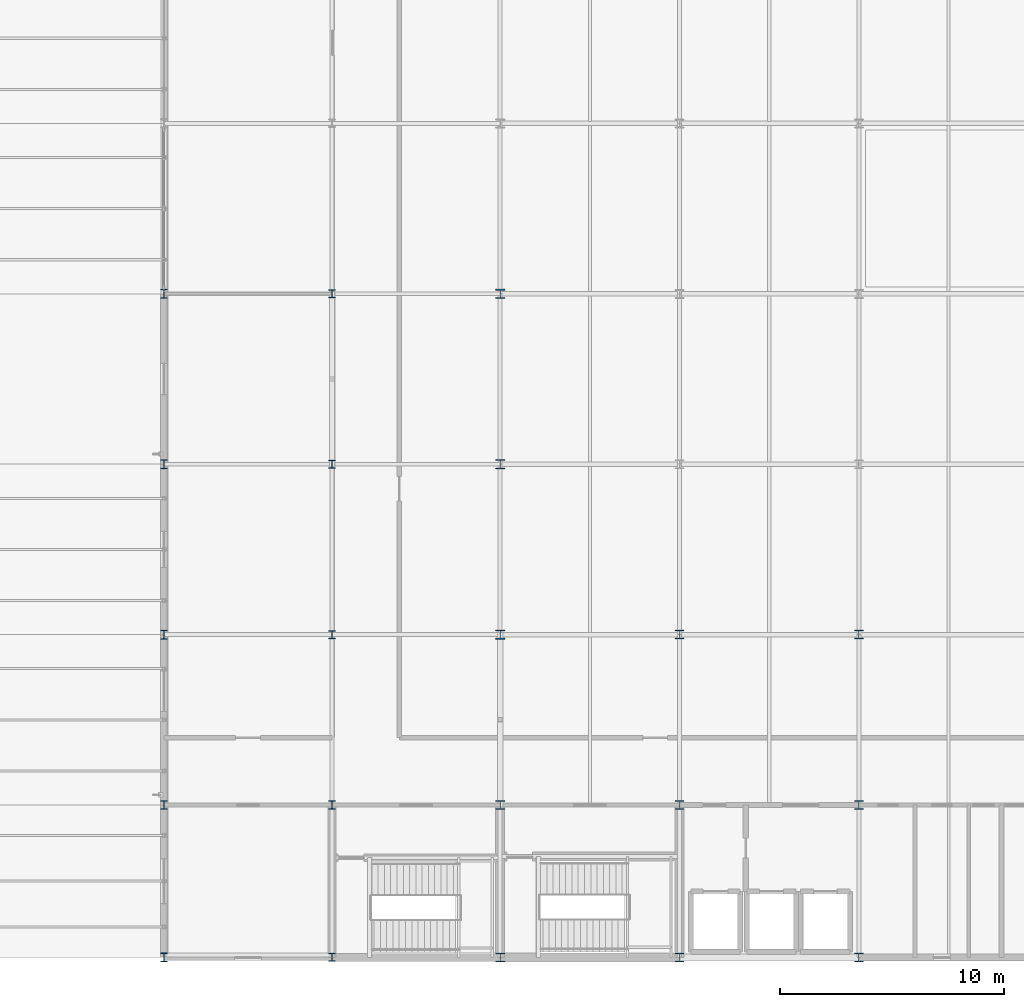
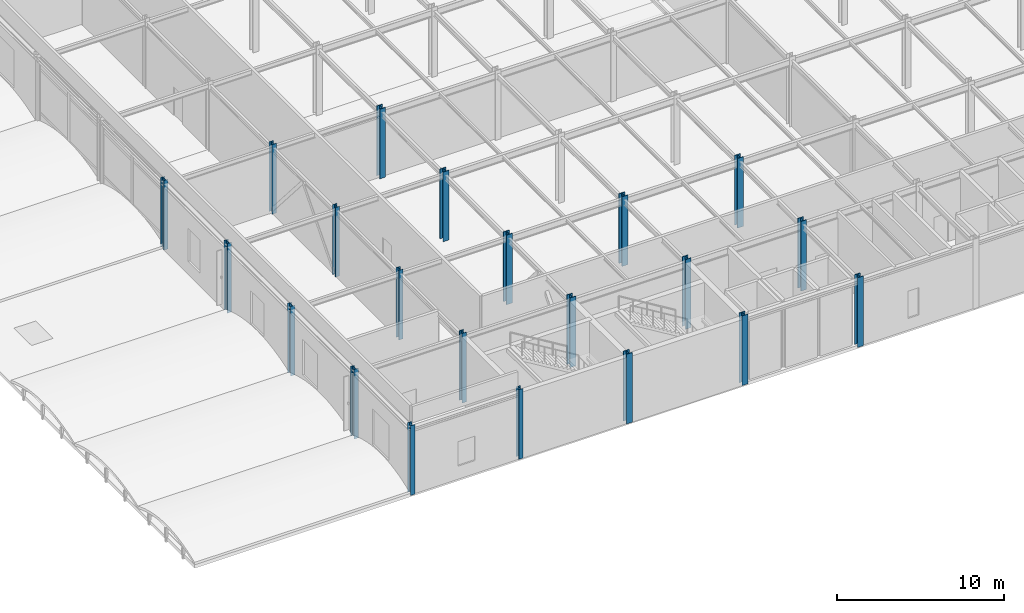
# One storey, part 1 of 79: 21 columns.
"""IFC4 building model written with IfcOpenShell, lengths in metres."""

from ifc_helpers import new_model, si_unit, direction, frame, origin, origin_2d, place, context, subcontext, project, spatial, i_section, extrude, material, material_profile, profile_set, type_object, element, save


model = new_model("IFC4")

# Units and contexts
model_context = context("Model", 3, precision=1e-05, world=origin(), true_north=direction((0.0, 1.0)))
body_context = subcontext(model_context, "Body", "Model", "MODEL_VIEW")
ifc_project = project(units=[si_unit("LENGTHUNIT", "METRE"), si_unit("AREAUNIT", "SQUARE_METRE"), si_unit("VOLUMEUNIT", "CUBIC_METRE"), si_unit("PLANEANGLEUNIT", "RADIAN"), si_unit("MASSUNIT", "GRAM", prefix="KILO")], contexts=[model_context])

# Site, building, storey
site_placement = place(None, origin())
site = spatial("IfcSite", under=ifc_project, at=site_placement, CompositionType="ELEMENT")
building_placement = place(site_placement, origin())
building = spatial("IfcBuilding", under=site, at=building_placement, Name="Shalkamar Park Central Library", CompositionType="ELEMENT")
storey_placement = place(building_placement, frame((0.0, 0.0, 10.5)))
storey = spatial("IfcBuildingStorey", under=building, at=storey_placement, Name="L03", CompositionType="ELEMENT", Elevation=10.5)

# Columns
ifc_material = material(Name="Steel S355", Category="steel")
ifc_material_profile_1 = material_profile(ifc_material, i_section(OverallWidth=0.40087890625, OverallDepth=0.39892578125, WebThickness=0.02490234375, FlangeThickness=0.03955078125, FilletRadius=0.014892578125, at=origin_2d()), Name="HD 400x314")
ifc_profile_set_1 = profile_set([ifc_material_profile_1], Name="Steel S355")
column_type_1 = type_object("IfcColumnType", Name="Column Steel HD400x314", PredefinedType="COLUMN", material=ifc_profile_set_1)
for number, where, z_axis, x_axis, name in (
    (1, (173.0, 248.39990234375, 0.0), (0.0, 0.0, 1.0), (1.0, 0.0, 0.0), "Column 08/B (L03)"),
    (2, (173.0, 255.199951171875, 0.0), (0.0, 0.0, 1.0), (1.0, 0.0, 0.0), "Column 08/C (L03)"),
    (3, (173.0, 262.800048828125, 0.0), (0.0, 0.0, 1.0), (1.0, 0.0, 0.0), "Column 08/D (L03)"),
    (4, (181.0, 248.39990234375, 0.0), (0.0, 0.0, 1.0), (1.0, 0.0, 0.0), "Column 09/B (L03)"),
    (5, (181.0, 255.199951171875, 0.0), (0.0, 0.0, 1.0), (1.0, 0.0, 0.0), "Column 09/C (L03)"),
    (6, (181.0, 262.800048828125, 0.0), (0.0, 0.0, 1.0), (1.0, 0.0, 0.0), "Column 09/D (L03)"),
):
    element("IfcColumn", number, at=place(storey_placement, frame(where, z_axis=z_axis, x_axis=x_axis)), inside=storey, type_object=column_type_1, Name=name, PredefinedType="COLUMN", context=body_context, shape_type="SweptSolid", body=[
        extrude(i_section(OverallWidth=0.40087890625, OverallDepth=0.39892578125, WebThickness=0.02490234375, FlangeThickness=0.03955078125, FilletRadius=0.014892578125, at=origin_2d()), origin(), (0.0, 0.0, 1.0), 5.10009765625),
    ])
ifc_material_profile_2 = material_profile(ifc_material, i_section(OverallWidth=0.406005859375, OverallDepth=0.416015625, WebThickness=0.02978515625, FlangeThickness=0.048095703125, FilletRadius=0.014892578125, at=origin_2d()), Name="HD 400x382")
ifc_profile_set_2 = profile_set([ifc_material_profile_2], Name="Steel S355")
column_type_2 = type_object("IfcColumnType", Name="Column Steel HD400x382", PredefinedType="COLUMN", material=ifc_profile_set_2)
for number, where, z_axis, x_axis, name in (
    (7, (165.0, 248.39990234375, 0.0), (0.0, 0.0, 1.0), (1.0, 0.0, 0.0), "Column 07/B (L03)"),
    (8, (165.0, 255.199951171875, 0.0), (0.0, 0.0, 1.0), (1.0, 0.0, 0.0), "Column 07/C (L03)"),
    (9, (165.0, 262.800048828125, 0.0), (0.0, 0.0, 1.0), (1.0, 0.0, 0.0), "Column 07/D (L03)"),
    (10, (165.0, 270.39990234375, 0.0), (0.0, 0.0, 1.0), (1.0, 0.0, 0.0), "Column 07/E (L03)"),
    (11, (165.0, 278.0, 0.0), (0.0, 0.0, 1.0), (1.0, 0.0, 0.0), "Column 07/F (L03)"),
):
    element("IfcColumn", number, at=place(storey_placement, frame(where, z_axis=z_axis, x_axis=x_axis)), inside=storey, type_object=column_type_2, Name=name, PredefinedType="COLUMN", context=body_context, shape_type="SweptSolid", body=[
        extrude(i_section(OverallWidth=0.406005859375, OverallDepth=0.416015625, WebThickness=0.02978515625, FlangeThickness=0.048095703125, FilletRadius=0.014892578125, at=origin_2d()), origin(), (0.0, 0.0, 1.0), 5.10009765625),
    ])
ifc_material_profile_3 = material_profile(ifc_material, i_section(OverallWidth=0.300048828125, OverallDepth=0.360107421875, WebThickness=0.012451171875, FlangeThickness=0.0224609375, FilletRadius=0.027099609375, at=origin_2d()), Name="HEB 360")
ifc_profile_set_3 = profile_set([ifc_material_profile_3], Name="Steel S355")
column_type_3 = type_object("IfcColumnType", Name="Column Steel HEB360", PredefinedType="COLUMN", material=ifc_profile_set_3)
for number, where, z_axis, x_axis, name in (
    (12, (157.5, 248.39990234375, 0.0), (0.0, 0.0, 1.0), (1.0, 0.0, 0.0), "Column 06/B (L03)"),
    (13, (157.5, 255.199951171875, 0.0), (0.0, 0.0, 1.0), (1.0, 0.0, 0.0), "Column 06/C (L03)"),
    (14, (157.5, 262.800048828125, 0.0), (0.0, 0.0, 1.0), (1.0, 0.0, 0.0), "Column 06/D (L03)"),
    (15, (157.5, 270.39990234375, 0.0), (0.0, 0.0, 1.0), (1.0, 0.0, 0.0), "Column 06/E (L03)"),
    (16, (157.5, 278.0, 0.0), (0.0, 0.0, 1.0), (1.0, 0.0, 0.0), "Column 06/F (L03)"),
):
    element("IfcColumn", number, at=place(storey_placement, frame(where, z_axis=z_axis, x_axis=x_axis)), inside=storey, type_object=column_type_3, Name=name, PredefinedType="COLUMN", context=body_context, shape_type="SweptSolid", body=[
        extrude(i_section(OverallWidth=0.300048828125, OverallDepth=0.360107421875, WebThickness=0.012451171875, FlangeThickness=0.0224609375, FilletRadius=0.027099609375, at=origin_2d()), origin(), (0.0, 0.0, 1.0), 5.10009765625),
    ])
ifc_material_profile_4 = material_profile(ifc_material, i_section(OverallWidth=0.300048828125, OverallDepth=0.39990234375, WebThickness=0.013427734375, FlangeThickness=0.02392578125, FilletRadius=0.027099609375, at=origin_2d()), Name="HEB 400")
ifc_profile_set_4 = profile_set([ifc_material_profile_4], Name="Steel S355")
column_type_4 = type_object("IfcColumnType", Name="Column Steel HEB400", PredefinedType="COLUMN", material=ifc_profile_set_4)
for number, where, z_axis, x_axis, name in (
    (17, (150.0, 248.39990234375, 0.0), (0.0, 0.0, 1.0), (1.0, 0.0, 0.0), "Column 05/B (L03)"),
    (18, (150.0, 255.199951171875, 0.0), (0.0, 0.0, 1.0), (1.0, 0.0, 0.0), "Column 05/C (L03)"),
    (19, (150.0, 262.800048828125, 0.0), (0.0, 0.0, 1.0), (1.0, 0.0, 0.0), "Column 05/D (L03)"),
    (20, (150.0, 270.39990234375, 0.0), (0.0, 0.0, 1.0), (1.0, 0.0, 0.0), "Column 05/E (L03)"),
    (21, (150.0, 278.0, 0.0), (0.0, 0.0, 1.0), (1.0, 0.0, 0.0), "Column 05/F (L03)"),
):
    element("IfcColumn", number, at=place(storey_placement, frame(where, z_axis=z_axis, x_axis=x_axis)), inside=storey, type_object=column_type_4, Name=name, PredefinedType="COLUMN", context=body_context, shape_type="SweptSolid", body=[
        extrude(i_section(OverallWidth=0.300048828125, OverallDepth=0.39990234375, WebThickness=0.013427734375, FlangeThickness=0.02392578125, FilletRadius=0.027099609375, at=origin_2d()), origin(), (0.0, 0.0, 1.0), 5.10009765625),
    ])

save(model, "model.ifc")
